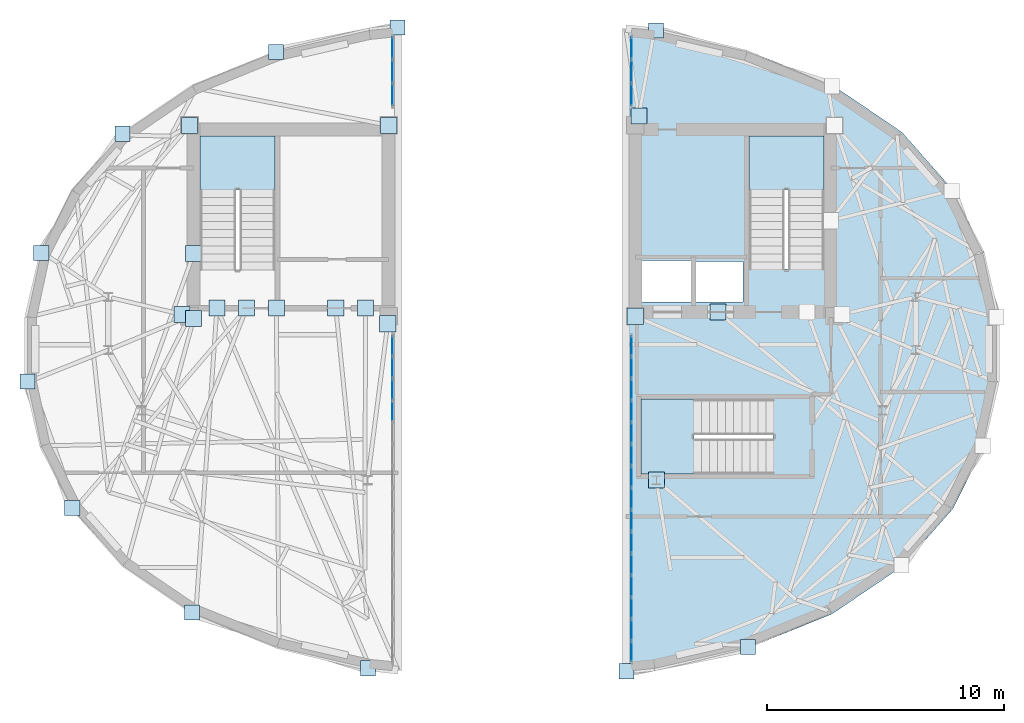
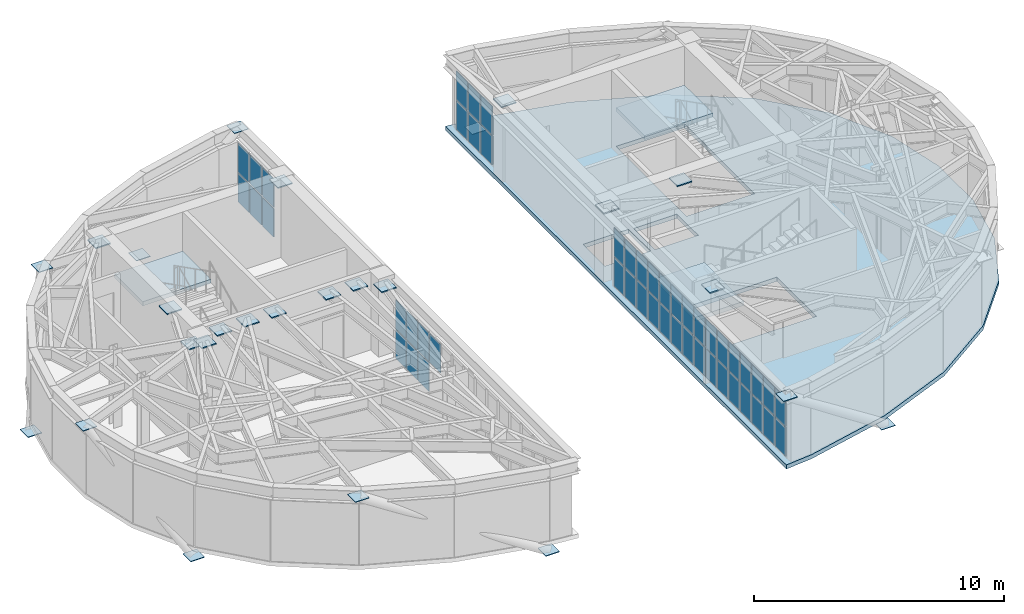
# One storey, part 8 of 13: 75 plates, 4 slabs, 7 elements without a shape of their own.
"""IFC4 building model written with IfcOpenShell, lengths in metres."""

from ifc_helpers import new_model, si_unit, direction, frame, origin, origin_2d, place, context, subcontext, project, spatial, polyline, rectangle, outline, extrude, material, layer, layer_set, type_object, element, aggregate, save


model = new_model("IFC4")

# Units and contexts
model_context = context("Model", 3, precision=1e-05, world=origin(), true_north=direction((0.0, 1.0)))
body_context = subcontext(model_context, "Body", "Model", "MODEL_VIEW")
ifc_project = project(units=[si_unit("LENGTHUNIT", "METRE"), si_unit("AREAUNIT", "SQUARE_METRE"), si_unit("VOLUMEUNIT", "CUBIC_METRE"), si_unit("PLANEANGLEUNIT", "RADIAN"), si_unit("MASSUNIT", "GRAM", prefix="KILO")], contexts=[model_context])

# Site, building, storey
site_placement = place(None, origin())
site = spatial("IfcSite", under=ifc_project, at=site_placement, CompositionType="ELEMENT")
building_placement = place(site_placement, origin())
building = spatial("IfcBuilding", under=site, at=building_placement, Name="Keldmark Tower", CompositionType="ELEMENT")
storey_placement = place(building_placement, frame((0.0, 0.0, 276.800048828125)))
storey = spatial("IfcBuildingStorey", under=building, at=storey_placement, Name="L78", CompositionType="ELEMENT", Elevation=276.800048828125)

# Plates
ifc_material_1 = material(Name="Steel ASTM A572 Grade 50", Category="steel")
ifc_layer_1 = layer(ifc_material_1, 0.06005859375)
ifc_layer_set_1 = layer_set([ifc_layer_1], Name="Steel ASTM A572 Grade 50")
plate_type_1 = type_object("IfcPlateType", Name="Belt Truss Kink Node Assembly KN01 60 mm", PredefinedType="USERDEFINED", material=ifc_layer_set_1)
for number, where, z_axis, x_axis, name in (
    (1, (-13.91162109375, 1.473388671875, 3.30810546875), (0.0, 0.0, 1.0), (1.0, 0.0, 0.0), "L78 Core Wall Cast-In Embed Plate 2218"),
    (2, (-5.24072265625, 1.08251953125, 3.30810546875), (0.0, 0.0, 1.0), (1.0, 0.0, 0.0), "L78 Core Wall Cast-In Embed Plate 2219"),
    (3, (5.199951171875, 1.39990234375, 3.30810546875), (0.0, 0.0, 1.0), (1.0, 0.0, 0.0), "L78 Core Wall Cast-In Embed Plate 2220"),
    (4, (8.685791015625, 1.574951171875, 3.30810546875), (0.0, 0.0, 1.0), (1.0, 0.0, 0.0), "L78 Core Wall Cast-In Embed Plate 2222"),
    (5, (6.089599609375, -5.512939453125, 3.30810546875), (0.0, 0.0, 1.0), (1.0, 0.0, 0.0), "L78 Core Wall Cast-In Embed Plate 2225"),
    (6, (5.35009765625, 9.85009765625, 3.30810546875), (0.0, 0.0, 1.0), (1.0, 0.0, 0.0), "L78 Core Wall Cast-In Embed Plate 2226"),
    (7, (-11.19287109375, 1.739990234375, 3.30810546875), (0.0, 0.0, 1.0), (1.0, 0.0, 0.0), "L78 Core Wall Cast-In Embed Plate 2227"),
    (8, (-13.425048828125, 4.050048828125, 3.30810546875), (0.0, 0.0, 1.0), (1.0, 0.0, 0.0), "L78 Core Wall Cast-In Embed Plate 2228"),
    (9, (-6.1787109375, 1.739990234375, 3.30810546875), (0.0, 0.0, 1.0), (1.0, 0.0, 0.0), "L78 Core Wall Cast-In Embed Plate 2229"),
    (10, (-7.43212890625, 1.739990234375, 3.30810546875), (0.0, 0.0, 1.0), (1.0, 0.0, 0.0), "L78 Core Wall Cast-In Embed Plate 2230"),
    (11, (-12.4462890625, 1.739990234375, 3.30810546875), (0.0, 0.0, 1.0), (1.0, 0.0, 0.0), "L78 Core Wall Cast-In Embed Plate 2231"),
    (12, (-9.939208984375, 1.739990234375, 3.30810546875), (0.0, 0.0, 1.0), (1.0, 0.0, 0.0), "L78 Core Wall Cast-In Embed Plate 2232"),
    (13, (-13.425048828125, 1.300048828125, 3.30810546875), (0.0, 0.0, 1.0), (1.0, 0.0, 0.0), "L78 Core Wall Cast-In Embed Plate 2233"),
    (14, (-13.60009765625, 9.449951171875, 3.30810546875), (0.0, 0.0, 1.0), (1.0, 0.0, 0.0), "L78 Core Wall Cast-In Embed Plate 2234"),
    (15, (-5.199951171875, 9.449951171875, 3.30810546875), (0.0, 0.0, 1.0), (1.0, 0.0, 0.0), "L78 Core Wall Cast-In Embed Plate 2235"),
):
    element("IfcPlate", number, at=place(storey_placement, frame(where, z_axis=z_axis, x_axis=x_axis)), inside=storey, type_object=plate_type_1, Name=name, ObjectType="CAP PLATE", PredefinedType="USERDEFINED", context=body_context, shape_type="SweptSolid", body=[
        extrude(rectangle(XDim=0.679931640625, YDim=0.679931640625, at=origin_2d()), origin(), (0.0, 0.0, 1.0), 0.054931640625),
    ])
ifc_material_2 = material(Name="Steel ASTM A572 Grade 50", Category="steel")
ifc_layer_2 = layer(ifc_material_2, 0.030029296875)
ifc_layer_set_2 = layer_set([ifc_layer_2], Name="Steel ASTM A572 Grade 50")
plate_type_2 = type_object("IfcPlateType", Name="Crown Frame End Cap Plate CP01 30 mm", PredefinedType="SHEET", material=ifc_layer_set_2)
for number, where, z_axis, x_axis, name in (
    (16, (6.067138671875, 13.448974609375, -0.46484375), (0.0, 0.0, 1.0), (1.0, 0.0, 0.0), "L78 Crown Frame Node Cap E00-0"),
    (17, (9.948486328125, -12.546142578125, -0.46484375), (0.0, 0.0, 1.0), (1.0, 0.0, 0.0), "L78 Crown Frame Node Cap E12-0"),
    (18, (4.832763671875, -13.573486328125, 3.3349609375), (0.0, 0.0, 1.0), (1.0, 0.0, 0.0), "L78 Crown Frame Node Cap E12-1"),
    (19, (-6.067138671875, -13.448974609375, -0.46484375), (0.0, 0.0, 1.0), (1.0, 0.0, 0.0), "L78 Crown Frame Node Cap W00-0"),
    (20, (-13.5, -11.097900390625, 3.3349609375), (0.0, 0.0, 1.0), (1.0, 0.0, 0.0), "L78 Crown Frame Node Cap W00-1"),
    (21, (-18.544921875, -6.688232421875, -0.46484375), (0.0, 0.0, 1.0), (1.0, 0.0, 0.0), "L78 Crown Frame Node Cap W04-0"),
    (22, (-20.43017578125, -1.35693359375, 3.3349609375), (0.0, 0.0, 1.0), (1.0, 0.0, 0.0), "L78 Crown Frame Node Cap W04-1"),
    (23, (-19.853271484375, 4.0625, -0.46484375), (0.0, 0.0, 1.0), (1.0, 0.0, 0.0), "L78 Crown Frame Node Cap W08-0"),
    (24, (-16.431396484375, 9.099365234375, 3.3349609375), (0.0, 0.0, 1.0), (1.0, 0.0, 0.0), "L78 Crown Frame Node Cap W08-1"),
    (25, (-9.948486328125, 12.546142578125, -0.46484375), (0.0, 0.0, 1.0), (1.0, 0.0, 0.0), "L78 Crown Frame Node Cap W12-0"),
    (26, (-4.832763671875, 13.573486328125, 3.3349609375), (0.0, 0.0, 1.0), (1.0, 0.0, 0.0), "L78 Crown Frame Node Cap W12-1"),
):
    element("IfcPlate", number, at=place(storey_placement, frame(where, z_axis=z_axis, x_axis=x_axis)), inside=storey, type_object=plate_type_2, Name=name, PredefinedType="SHEET", context=body_context, shape_type="SweptSolid", body=[
        extrude(rectangle(XDim=0.639892578125, YDim=0.639892578125, at=origin_2d()), origin(), (0.0, 0.0, 1.0), 0.030029296875),
    ])

# Slab
ifc_material_3 = material(Name="Concrete C35/45", Category="concrete")
ifc_layer_3 = layer(ifc_material_3, 0.199951171875)
ifc_layer_set_3 = layer_set([ifc_layer_3], Name="Concrete C35/45")
slab_type_1 = type_object("IfcSlabType", Name="Low-Rise Office Composite Slab 200 mm", PredefinedType="FLOOR", material=ifc_layer_set_3)
slab_1_placement = place(storey_placement, frame((0.0, 0.0, -0.199951171875)))
element("IfcSlab", 27, at=slab_1_placement, inside=storey, type_object=slab_type_1, Name="L78 East Crown Plant Floor Slab", PredefinedType="FLOOR", context=body_context, shape_type="SweptSolid", body=[
    extrude(outline(polyline([(6.03759765625, 13.501220703125), (9.931396484375, 12.603759765625), (13.498779296875, 11.15771484375), (16.448486328125, 9.156982421875), (18.580078125, 6.73681640625), (19.9033203125, 4.095703125), (20.489013671875, 1.368896484375), (20.489013671875, -1.368896484375), (19.9033203125, -4.095703125), (18.580078125, -6.73681640625), (16.448486328125, -9.156982421875), (13.498779296875, -11.15771484375), (9.931396484375, -12.603759765625), (6.03759765625, -13.501220703125), (4.800048828125, -13.62353515625), (4.800048828125, 13.62353515625), (6.03759765625, 13.501220703125)]), holes=[polyline([(13.14990234375, 3.385009765625), (13.14990234375, 9.0), (10.0, 9.0), (10.0, 3.385009765625), (13.14990234375, 3.385009765625)]), polyline([(11.014892578125, -2.10009765625), (5.43994140625, -2.10009765625), (5.43994140625, -5.25), (11.014892578125, -5.25), (11.014892578125, -2.10009765625)]), polyline([(7.75, 2.0), (9.75, 2.0), (9.75, 3.699951171875), (7.75, 3.699951171875), (7.75, 2.0)]), polyline([(5.449951171875, 2.0), (7.550048828125, 2.0), (7.550048828125, 3.75), (5.449951171875, 3.75), (5.449951171875, 2.0)])]), origin(), (0.0, 0.0, 1.0), 0.199951171875),
])

# Stair, slab
ifc_material_4 = material(Name="Concrete C40/50", Category="concrete")
stair_type = type_object("IfcStairType", Name="Precast Concrete Core Exit Stair", PredefinedType="HALF_TURN_STAIR", material=ifc_material_4)
stair_1_placement = place(storey_placement, origin())
stair_1 = element("IfcStair", 28, at=stair_1_placement, inside=storey, type_object=stair_type, Name="L78 Exit Stair ST1", PredefinedType="HALF_TURN_STAIR")
ifc_material_5 = material(Name="Concrete C40/50", Category="concrete")
ifc_layer_4 = layer(ifc_material_5, 0.199951171875)
ifc_layer_set_4 = layer_set([ifc_layer_4], Name="Concrete C40/50")
slab_type_2 = type_object("IfcSlabType", Name="Reinforced Concrete Stair Landing 200 mm", PredefinedType="LANDING", material=ifc_layer_set_4)
slab_2_placement = place(storey_placement, frame((0.0, 0.0, 1.699951171875)))
slab_2 = element("IfcSlab", 29, at=slab_2_placement, type_object=slab_type_2, Name="ST1 landing 1", PredefinedType="LANDING", context=body_context, shape_type="SweptSolid", body=[
    extrude(outline(polyline([(-10.0, 6.72998046875), (-10.0, 9.0), (-13.14990234375, 9.0), (-13.14990234375, 6.72998046875), (-10.0, 6.72998046875)])), origin(), (0.0, 0.0, 1.0), 0.199951171875),
])
aggregate(stair_1, [slab_2])

stair_2_placement = place(storey_placement, origin())
stair_2 = element("IfcStair", 30, at=stair_2_placement, inside=storey, type_object=stair_type, Name="L78 Exit Stair ST2", PredefinedType="HALF_TURN_STAIR")
slab_3_placement = place(storey_placement, frame((0.0, 0.0, 1.699951171875)))
slab_3 = element("IfcSlab", 31, at=slab_3_placement, type_object=slab_type_2, Name="ST2 landing 1", PredefinedType="LANDING", context=body_context, shape_type="SweptSolid", body=[
    extrude(outline(polyline([(13.14990234375, 6.72998046875), (13.14990234375, 9.0), (10.0, 9.0), (10.0, 6.72998046875), (13.14990234375, 6.72998046875)])), origin(), (0.0, 0.0, 1.0), 0.199951171875),
])
aggregate(stair_2, [slab_3])

stair_3_placement = place(storey_placement, origin())
stair_3 = element("IfcStair", 32, at=stair_3_placement, inside=storey, type_object=stair_type, Name="L78 East Crown Exit Stair ST4", PredefinedType="HALF_TURN_STAIR")
slab_4_placement = place(storey_placement, frame((0.0, 0.0, 1.699951171875)))
slab_4 = element("IfcSlab", 33, at=slab_4_placement, type_object=slab_type_2, Name="ST4 landing 1", PredefinedType="LANDING", context=body_context, shape_type="SweptSolid", body=[
    extrude(outline(polyline([(7.669921875, -2.10009765625), (5.43994140625, -2.10009765625), (5.43994140625, -5.25), (7.669921875, -5.25), (7.669921875, -2.10009765625)])), origin(), (0.0, 0.0, 1.0), 0.199951171875),
])
aggregate(stair_3, [slab_4])

# Curtain wall, plates
ifc_material_6 = material(Name="Unitized Thermally Broken Aluminum and Triple Low-E Glazing", Category="aluminium")
ifc_layer_5 = layer(ifc_material_6, 0.219970703125)
ifc_layer_set_5 = layer_set([ifc_layer_5], Name="Unitized Thermally Broken Aluminum and Triple Low-E Glazing")
curtain_wall_type = type_object("IfcCurtainWallType", Name="Split-Top Crown Lantern Curtain Wall System", PredefinedType="NOTDEFINED", material=ifc_layer_set_5)
curtain_wall_1_placement = place(storey_placement, origin())
curtain_wall_1 = element("IfcCurtainWall", 34, at=curtain_wall_1_placement, inside=storey, type_object=curtain_wall_type, Name="L78 Split-Top Crown Lantern Curtain Wall System CW-L78-ES14-0", PredefinedType="NOTDEFINED")
ifc_material_7 = material(Name="Triple Silver Low-E Insulated Glass Unit", Category="glass")
ifc_layer_6 = layer(ifc_material_7, 0.035888671875)
ifc_layer_set_6 = layer_set([ifc_layer_6], Name="Triple Silver Low-E Insulated Glass Unit")
plate_type_3 = type_object("IfcPlateType", Name="Triple Low-E Vision Glazing Panel 36 mm", PredefinedType="CURTAIN_PANEL", material=ifc_layer_set_6)
plate_1_placement = place(storey_placement, frame((5.0400390625, 12.705322265625, 0.059814453125), z_axis=(0.0, 0.0, 1.0), x_axis=(0.0, -1.0, 0.0)))
plate_1 = element("IfcPlate", 35, at=plate_1_placement, type_object=plate_type_3, Name="CW panel 1.1", PredefinedType="CURTAIN_PANEL", context=body_context, shape_type="SweptSolid", body=[
    extrude(rectangle(XDim=0.90673828125, YDim=0.035888671875, at=origin_2d()), origin(), (0.0, 0.0, 1.0), 1.39306640625),
])
plate_2_placement = place(storey_placement, frame((5.0400390625, 12.705322265625, 1.512939453125), z_axis=(0.0, 0.0, 1.0), x_axis=(0.0, -1.0, 0.0)))
plate_2 = element("IfcPlate", 36, at=plate_2_placement, type_object=plate_type_3, Name="CW panel 1.2", PredefinedType="CURTAIN_PANEL", context=body_context, shape_type="SweptSolid", body=[
    extrude(rectangle(XDim=0.90673828125, YDim=0.035888671875, at=origin_2d()), origin(), (0.0, 0.0, 1.0), 1.39306640625),
])
plate_3_placement = place(storey_placement, frame((5.0400390625, 11.7236328125, 0.059814453125), z_axis=(0.0, 0.0, 1.0), x_axis=(0.0, -1.0, 0.0)))
plate_3 = element("IfcPlate", 37, at=plate_3_placement, type_object=plate_type_3, Name="CW panel 2.1", PredefinedType="CURTAIN_PANEL", context=body_context, shape_type="SweptSolid", body=[
    extrude(rectangle(XDim=0.936767578125, YDim=0.035888671875, at=origin_2d()), origin(), (0.0, 0.0, 1.0), 1.39306640625),
])
plate_4_placement = place(storey_placement, frame((5.0400390625, 11.7236328125, 1.512939453125), z_axis=(0.0, 0.0, 1.0), x_axis=(0.0, -1.0, 0.0)))
plate_4 = element("IfcPlate", 38, at=plate_4_placement, type_object=plate_type_3, Name="CW panel 2.2", PredefinedType="CURTAIN_PANEL", context=body_context, shape_type="SweptSolid", body=[
    extrude(rectangle(XDim=0.936767578125, YDim=0.035888671875, at=origin_2d()), origin(), (0.0, 0.0, 1.0), 1.39306640625),
])
plate_5_placement = place(storey_placement, frame((5.0400390625, 10.741943359375, 0.059814453125), z_axis=(0.0, 0.0, 1.0), x_axis=(0.0, -1.0, 0.0)))
plate_5 = element("IfcPlate", 39, at=plate_5_placement, type_object=plate_type_3, Name="CW panel 3.1", PredefinedType="CURTAIN_PANEL", context=body_context, shape_type="SweptSolid", body=[
    extrude(rectangle(XDim=0.90673828125, YDim=0.035888671875, at=origin_2d()), origin(), (0.0, 0.0, 1.0), 1.39306640625),
])
plate_6_placement = place(storey_placement, frame((5.0400390625, 10.741943359375, 1.512939453125), z_axis=(0.0, 0.0, 1.0), x_axis=(0.0, -1.0, 0.0)))
plate_6 = element("IfcPlate", 40, at=plate_6_placement, type_object=plate_type_3, Name="CW panel 3.2", PredefinedType="CURTAIN_PANEL", context=body_context, shape_type="SweptSolid", body=[
    extrude(rectangle(XDim=0.90673828125, YDim=0.035888671875, at=origin_2d()), origin(), (0.0, 0.0, 1.0), 1.39306640625),
])
aggregate(curtain_wall_1, [plate_1, plate_2, plate_3, plate_4, plate_5, plate_6])

curtain_wall_2_placement = place(storey_placement, origin())
curtain_wall_2 = element("IfcCurtainWall", 41, at=curtain_wall_2_placement, inside=storey, type_object=curtain_wall_type, Name="L78 Split-Top Crown Lantern Curtain Wall System CW-L78-ES14-1", PredefinedType="NOTDEFINED")
plate_7_placement = place(storey_placement, frame((5.0400390625, 0.145263671875, 0.059814453125), z_axis=(0.0, 0.0, 1.0), x_axis=(0.0, -1.0, 0.0)))
plate_7 = element("IfcPlate", 42, at=plate_7_placement, type_object=plate_type_3, Name="CW panel 1.1", PredefinedType="CURTAIN_PANEL", context=body_context, shape_type="SweptSolid", body=[
    extrude(rectangle(XDim=0.832763671875, YDim=0.035888671875, at=origin_2d()), origin(), (0.0, 0.0, 1.0), 1.39306640625),
])
plate_8_placement = place(storey_placement, frame((5.0400390625, 0.145263671875, 1.512939453125), z_axis=(0.0, 0.0, 1.0), x_axis=(0.0, -1.0, 0.0)))
plate_8 = element("IfcPlate", 43, at=plate_8_placement, type_object=plate_type_3, Name="CW panel 1.2", PredefinedType="CURTAIN_PANEL", context=body_context, shape_type="SweptSolid", body=[
    extrude(rectangle(XDim=0.832763671875, YDim=0.035888671875, at=origin_2d()), origin(), (0.0, 0.0, 1.0), 1.39306640625),
])
plate_9_placement = place(storey_placement, frame((5.0400390625, -0.762451171875, 0.059814453125), z_axis=(0.0, 0.0, 1.0), x_axis=(0.0, -1.0, 0.0)))
plate_9 = element("IfcPlate", 44, at=plate_9_placement, type_object=plate_type_3, Name="CW panel 2.1", PredefinedType="CURTAIN_PANEL", context=body_context, shape_type="SweptSolid", body=[
    extrude(rectangle(XDim=0.86279296875, YDim=0.035888671875, at=origin_2d()), origin(), (0.0, 0.0, 1.0), 1.39306640625),
])
plate_10_placement = place(storey_placement, frame((5.0400390625, -0.762451171875, 1.512939453125), z_axis=(0.0, 0.0, 1.0), x_axis=(0.0, -1.0, 0.0)))
plate_10 = element("IfcPlate", 45, at=plate_10_placement, type_object=plate_type_3, Name="CW panel 2.2", PredefinedType="CURTAIN_PANEL", context=body_context, shape_type="SweptSolid", body=[
    extrude(rectangle(XDim=0.86279296875, YDim=0.035888671875, at=origin_2d()), origin(), (0.0, 0.0, 1.0), 1.39306640625),
])
plate_11_placement = place(storey_placement, frame((5.0400390625, -1.685302734375, 0.059814453125), z_axis=(0.0, 0.0, 1.0), x_axis=(0.0, -1.0, 0.0)))
plate_11 = element("IfcPlate", 46, at=plate_11_placement, type_object=plate_type_3, Name="CW panel 3.1", PredefinedType="CURTAIN_PANEL", context=body_context, shape_type="SweptSolid", body=[
    extrude(rectangle(XDim=0.86279296875, YDim=0.035888671875, at=origin_2d()), origin(), (0.0, 0.0, 1.0), 1.39306640625),
])
plate_12_placement = place(storey_placement, frame((5.0400390625, -1.685302734375, 1.512939453125), z_axis=(0.0, 0.0, 1.0), x_axis=(0.0, -1.0, 0.0)))
plate_12 = element("IfcPlate", 47, at=plate_12_placement, type_object=plate_type_3, Name="CW panel 3.2", PredefinedType="CURTAIN_PANEL", context=body_context, shape_type="SweptSolid", body=[
    extrude(rectangle(XDim=0.86279296875, YDim=0.035888671875, at=origin_2d()), origin(), (0.0, 0.0, 1.0), 1.39306640625),
])
plate_13_placement = place(storey_placement, frame((5.0400390625, -2.60791015625, 0.059814453125), z_axis=(0.0, 0.0, 1.0), x_axis=(0.0, -1.0, 0.0)))
plate_13 = element("IfcPlate", 48, at=plate_13_placement, type_object=plate_type_3, Name="CW panel 4.1", PredefinedType="CURTAIN_PANEL", context=body_context, shape_type="SweptSolid", body=[
    extrude(rectangle(XDim=0.86279296875, YDim=0.035888671875, at=origin_2d()), origin(), (0.0, 0.0, 1.0), 1.39306640625),
])
plate_14_placement = place(storey_placement, frame((5.0400390625, -2.60791015625, 1.512939453125), z_axis=(0.0, 0.0, 1.0), x_axis=(0.0, -1.0, 0.0)))
plate_14 = element("IfcPlate", 49, at=plate_14_placement, type_object=plate_type_3, Name="CW panel 4.2", PredefinedType="CURTAIN_PANEL", context=body_context, shape_type="SweptSolid", body=[
    extrude(rectangle(XDim=0.86279296875, YDim=0.035888671875, at=origin_2d()), origin(), (0.0, 0.0, 1.0), 1.39306640625),
])
plate_15_placement = place(storey_placement, frame((5.0400390625, -3.530517578125, 0.059814453125), z_axis=(0.0, 0.0, 1.0), x_axis=(0.0, -1.0, 0.0)))
plate_15 = element("IfcPlate", 50, at=plate_15_placement, type_object=plate_type_3, Name="CW panel 5.1", PredefinedType="CURTAIN_PANEL", context=body_context, shape_type="SweptSolid", body=[
    extrude(rectangle(XDim=0.86279296875, YDim=0.035888671875, at=origin_2d()), origin(), (0.0, 0.0, 1.0), 1.39306640625),
])
plate_16_placement = place(storey_placement, frame((5.0400390625, -3.530517578125, 1.512939453125), z_axis=(0.0, 0.0, 1.0), x_axis=(0.0, -1.0, 0.0)))
plate_16 = element("IfcPlate", 51, at=plate_16_placement, type_object=plate_type_3, Name="CW panel 5.2", PredefinedType="CURTAIN_PANEL", context=body_context, shape_type="SweptSolid", body=[
    extrude(rectangle(XDim=0.86279296875, YDim=0.035888671875, at=origin_2d()), origin(), (0.0, 0.0, 1.0), 1.39306640625),
])
plate_17_placement = place(storey_placement, frame((5.0400390625, -4.453125, 0.059814453125), z_axis=(0.0, 0.0, 1.0), x_axis=(0.0, -1.0, 0.0)))
plate_17 = element("IfcPlate", 52, at=plate_17_placement, type_object=plate_type_3, Name="CW panel 6.1", PredefinedType="CURTAIN_PANEL", context=body_context, shape_type="SweptSolid", body=[
    extrude(rectangle(XDim=0.86279296875, YDim=0.035888671875, at=origin_2d()), origin(), (0.0, 0.0, 1.0), 1.39306640625),
])
plate_18_placement = place(storey_placement, frame((5.0400390625, -4.453125, 1.512939453125), z_axis=(0.0, 0.0, 1.0), x_axis=(0.0, -1.0, 0.0)))
plate_18 = element("IfcPlate", 53, at=plate_18_placement, type_object=plate_type_3, Name="CW panel 6.2", PredefinedType="CURTAIN_PANEL", context=body_context, shape_type="SweptSolid", body=[
    extrude(rectangle(XDim=0.86279296875, YDim=0.035888671875, at=origin_2d()), origin(), (0.0, 0.0, 1.0), 1.39306640625),
])
plate_19_placement = place(storey_placement, frame((5.0400390625, -5.3759765625, 0.059814453125), z_axis=(0.0, 0.0, 1.0), x_axis=(0.0, -1.0, 0.0)))
plate_19 = element("IfcPlate", 54, at=plate_19_placement, type_object=plate_type_3, Name="CW panel 7.1", PredefinedType="CURTAIN_PANEL", context=body_context, shape_type="SweptSolid", body=[
    extrude(rectangle(XDim=0.86279296875, YDim=0.035888671875, at=origin_2d()), origin(), (0.0, 0.0, 1.0), 1.39306640625),
])
plate_20_placement = place(storey_placement, frame((5.0400390625, -5.3759765625, 1.512939453125), z_axis=(0.0, 0.0, 1.0), x_axis=(0.0, -1.0, 0.0)))
plate_20 = element("IfcPlate", 55, at=plate_20_placement, type_object=plate_type_3, Name="CW panel 7.2", PredefinedType="CURTAIN_PANEL", context=body_context, shape_type="SweptSolid", body=[
    extrude(rectangle(XDim=0.86279296875, YDim=0.035888671875, at=origin_2d()), origin(), (0.0, 0.0, 1.0), 1.39306640625),
])
plate_21_placement = place(storey_placement, frame((5.0400390625, -6.298583984375, 0.059814453125), z_axis=(0.0, 0.0, 1.0), x_axis=(0.0, -1.0, 0.0)))
plate_21 = element("IfcPlate", 56, at=plate_21_placement, type_object=plate_type_3, Name="CW panel 8.1", PredefinedType="CURTAIN_PANEL", context=body_context, shape_type="SweptSolid", body=[
    extrude(rectangle(XDim=0.86279296875, YDim=0.035888671875, at=origin_2d()), origin(), (0.0, 0.0, 1.0), 1.39306640625),
])
plate_22_placement = place(storey_placement, frame((5.0400390625, -6.298583984375, 1.512939453125), z_axis=(0.0, 0.0, 1.0), x_axis=(0.0, -1.0, 0.0)))
plate_22 = element("IfcPlate", 57, at=plate_22_placement, type_object=plate_type_3, Name="CW panel 8.2", PredefinedType="CURTAIN_PANEL", context=body_context, shape_type="SweptSolid", body=[
    extrude(rectangle(XDim=0.86279296875, YDim=0.035888671875, at=origin_2d()), origin(), (0.0, 0.0, 1.0), 1.39306640625),
])
plate_23_placement = place(storey_placement, frame((5.0400390625, -7.22119140625, 0.059814453125), z_axis=(0.0, 0.0, 1.0), x_axis=(0.0, -1.0, 0.0)))
plate_23 = element("IfcPlate", 58, at=plate_23_placement, type_object=plate_type_3, Name="CW panel 9.1", PredefinedType="CURTAIN_PANEL", context=body_context, shape_type="SweptSolid", body=[
    extrude(rectangle(XDim=0.86279296875, YDim=0.035888671875, at=origin_2d()), origin(), (0.0, 0.0, 1.0), 1.39306640625),
])
plate_24_placement = place(storey_placement, frame((5.0400390625, -7.22119140625, 1.512939453125), z_axis=(0.0, 0.0, 1.0), x_axis=(0.0, -1.0, 0.0)))
plate_24 = element("IfcPlate", 59, at=plate_24_placement, type_object=plate_type_3, Name="CW panel 9.2", PredefinedType="CURTAIN_PANEL", context=body_context, shape_type="SweptSolid", body=[
    extrude(rectangle(XDim=0.86279296875, YDim=0.035888671875, at=origin_2d()), origin(), (0.0, 0.0, 1.0), 1.39306640625),
])
plate_25_placement = place(storey_placement, frame((5.0400390625, -8.14404296875, 0.059814453125), z_axis=(0.0, 0.0, 1.0), x_axis=(0.0, -1.0, 0.0)))
plate_25 = element("IfcPlate", 60, at=plate_25_placement, type_object=plate_type_3, Name="CW panel 10.1", PredefinedType="CURTAIN_PANEL", context=body_context, shape_type="SweptSolid", body=[
    extrude(rectangle(XDim=0.86279296875, YDim=0.035888671875, at=origin_2d()), origin(), (0.0, 0.0, 1.0), 1.39306640625),
])
plate_26_placement = place(storey_placement, frame((5.0400390625, -8.14404296875, 1.512939453125), z_axis=(0.0, 0.0, 1.0), x_axis=(0.0, -1.0, 0.0)))
plate_26 = element("IfcPlate", 61, at=plate_26_placement, type_object=plate_type_3, Name="CW panel 10.2", PredefinedType="CURTAIN_PANEL", context=body_context, shape_type="SweptSolid", body=[
    extrude(rectangle(XDim=0.86279296875, YDim=0.035888671875, at=origin_2d()), origin(), (0.0, 0.0, 1.0), 1.39306640625),
])
plate_27_placement = place(storey_placement, frame((5.0400390625, -9.066650390625, 0.059814453125), z_axis=(0.0, 0.0, 1.0), x_axis=(0.0, -1.0, 0.0)))
plate_27 = element("IfcPlate", 62, at=plate_27_placement, type_object=plate_type_3, Name="CW panel 11.1", PredefinedType="CURTAIN_PANEL", context=body_context, shape_type="SweptSolid", body=[
    extrude(rectangle(XDim=0.86279296875, YDim=0.035888671875, at=origin_2d()), origin(), (0.0, 0.0, 1.0), 1.39306640625),
])
plate_28_placement = place(storey_placement, frame((5.0400390625, -9.066650390625, 1.512939453125), z_axis=(0.0, 0.0, 1.0), x_axis=(0.0, -1.0, 0.0)))
plate_28 = element("IfcPlate", 63, at=plate_28_placement, type_object=plate_type_3, Name="CW panel 11.2", PredefinedType="CURTAIN_PANEL", context=body_context, shape_type="SweptSolid", body=[
    extrude(rectangle(XDim=0.86279296875, YDim=0.035888671875, at=origin_2d()), origin(), (0.0, 0.0, 1.0), 1.39306640625),
])
plate_29_placement = place(storey_placement, frame((5.0400390625, -9.9892578125, 0.059814453125), z_axis=(0.0, 0.0, 1.0), x_axis=(0.0, -1.0, 0.0)))
plate_29 = element("IfcPlate", 64, at=plate_29_placement, type_object=plate_type_3, Name="CW panel 12.1", PredefinedType="CURTAIN_PANEL", context=body_context, shape_type="SweptSolid", body=[
    extrude(rectangle(XDim=0.86279296875, YDim=0.035888671875, at=origin_2d()), origin(), (0.0, 0.0, 1.0), 1.39306640625),
])
plate_30_placement = place(storey_placement, frame((5.0400390625, -9.9892578125, 1.512939453125), z_axis=(0.0, 0.0, 1.0), x_axis=(0.0, -1.0, 0.0)))
plate_30 = element("IfcPlate", 65, at=plate_30_placement, type_object=plate_type_3, Name="CW panel 12.2", PredefinedType="CURTAIN_PANEL", context=body_context, shape_type="SweptSolid", body=[
    extrude(rectangle(XDim=0.86279296875, YDim=0.035888671875, at=origin_2d()), origin(), (0.0, 0.0, 1.0), 1.39306640625),
])
plate_31_placement = place(storey_placement, frame((5.0400390625, -10.912109375, 0.059814453125), z_axis=(0.0, 0.0, 1.0), x_axis=(0.0, -1.0, 0.0)))
plate_31 = element("IfcPlate", 66, at=plate_31_placement, type_object=plate_type_3, Name="CW panel 13.1", PredefinedType="CURTAIN_PANEL", context=body_context, shape_type="SweptSolid", body=[
    extrude(rectangle(XDim=0.86279296875, YDim=0.035888671875, at=origin_2d()), origin(), (0.0, 0.0, 1.0), 1.39306640625),
])
plate_32_placement = place(storey_placement, frame((5.0400390625, -10.912109375, 1.512939453125), z_axis=(0.0, 0.0, 1.0), x_axis=(0.0, -1.0, 0.0)))
plate_32 = element("IfcPlate", 67, at=plate_32_placement, type_object=plate_type_3, Name="CW panel 13.2", PredefinedType="CURTAIN_PANEL", context=body_context, shape_type="SweptSolid", body=[
    extrude(rectangle(XDim=0.86279296875, YDim=0.035888671875, at=origin_2d()), origin(), (0.0, 0.0, 1.0), 1.39306640625),
])
plate_33_placement = place(storey_placement, frame((5.0400390625, -11.834716796875, 0.059814453125), z_axis=(0.0, 0.0, 1.0), x_axis=(0.0, -1.0, 0.0)))
plate_33 = element("IfcPlate", 68, at=plate_33_placement, type_object=plate_type_3, Name="CW panel 14.1", PredefinedType="CURTAIN_PANEL", context=body_context, shape_type="SweptSolid", body=[
    extrude(rectangle(XDim=0.86279296875, YDim=0.035888671875, at=origin_2d()), origin(), (0.0, 0.0, 1.0), 1.39306640625),
])
plate_34_placement = place(storey_placement, frame((5.0400390625, -11.834716796875, 1.512939453125), z_axis=(0.0, 0.0, 1.0), x_axis=(0.0, -1.0, 0.0)))
plate_34 = element("IfcPlate", 69, at=plate_34_placement, type_object=plate_type_3, Name="CW panel 14.2", PredefinedType="CURTAIN_PANEL", context=body_context, shape_type="SweptSolid", body=[
    extrude(rectangle(XDim=0.86279296875, YDim=0.035888671875, at=origin_2d()), origin(), (0.0, 0.0, 1.0), 1.39306640625),
])
plate_35_placement = place(storey_placement, frame((5.0400390625, -12.742431640625, 0.059814453125), z_axis=(0.0, 0.0, 1.0), x_axis=(0.0, -1.0, 0.0)))
plate_35 = element("IfcPlate", 70, at=plate_35_placement, type_object=plate_type_3, Name="CW panel 15.1", PredefinedType="CURTAIN_PANEL", context=body_context, shape_type="SweptSolid", body=[
    extrude(rectangle(XDim=0.832763671875, YDim=0.035888671875, at=origin_2d()), origin(), (0.0, 0.0, 1.0), 1.39306640625),
])
plate_36_placement = place(storey_placement, frame((5.0400390625, -12.742431640625, 1.512939453125), z_axis=(0.0, 0.0, 1.0), x_axis=(0.0, -1.0, 0.0)))
plate_36 = element("IfcPlate", 71, at=plate_36_placement, type_object=plate_type_3, Name="CW panel 15.2", PredefinedType="CURTAIN_PANEL", context=body_context, shape_type="SweptSolid", body=[
    extrude(rectangle(XDim=0.832763671875, YDim=0.035888671875, at=origin_2d()), origin(), (0.0, 0.0, 1.0), 1.39306640625),
])
aggregate(curtain_wall_2, [plate_7, plate_8, plate_9, plate_10, plate_11, plate_12, plate_13, plate_14, plate_15, plate_16, plate_17, plate_18, plate_19, plate_20, plate_21, plate_22, plate_23, plate_24, plate_25, plate_26, plate_27, plate_28, plate_29, plate_30, plate_31, plate_32, plate_33, plate_34, plate_35, plate_36])

curtain_wall_3_placement = place(storey_placement, origin())
curtain_wall_3 = element("IfcCurtainWall", 72, at=curtain_wall_3_placement, inside=storey, type_object=curtain_wall_type, Name="L78 Split-Top Crown Lantern Curtain Wall System CW-L78-WS14-0", PredefinedType="NOTDEFINED")
plate_37_placement = place(storey_placement, frame((-5.0400390625, -2.60791015625, 1.512939453125), z_axis=(0.0, 0.0, 1.0), x_axis=(0.0, 1.0, 0.0)))
plate_37 = element("IfcPlate", 73, at=plate_37_placement, type_object=plate_type_3, Name="CW panel 12.2", PredefinedType="CURTAIN_PANEL", context=body_context, shape_type="SweptSolid", body=[
    extrude(rectangle(XDim=0.86279296875, YDim=0.035888671875, at=origin_2d()), origin(), (0.0, 0.0, 1.0), 1.39306640625),
])
plate_38_placement = place(storey_placement, frame((-5.0400390625, -1.685302734375, 0.059814453125), z_axis=(0.0, 0.0, 1.0), x_axis=(0.0, 1.0, 0.0)))
plate_38 = element("IfcPlate", 74, at=plate_38_placement, type_object=plate_type_3, Name="CW panel 13.1", PredefinedType="CURTAIN_PANEL", context=body_context, shape_type="SweptSolid", body=[
    extrude(rectangle(XDim=0.86279296875, YDim=0.035888671875, at=origin_2d()), origin(), (0.0, 0.0, 1.0), 1.39306640625),
])
plate_39_placement = place(storey_placement, frame((-5.0400390625, -1.685302734375, 1.512939453125), z_axis=(0.0, 0.0, 1.0), x_axis=(0.0, 1.0, 0.0)))
plate_39 = element("IfcPlate", 75, at=plate_39_placement, type_object=plate_type_3, Name="CW panel 13.2", PredefinedType="CURTAIN_PANEL", context=body_context, shape_type="SweptSolid", body=[
    extrude(rectangle(XDim=0.86279296875, YDim=0.035888671875, at=origin_2d()), origin(), (0.0, 0.0, 1.0), 1.39306640625),
])
plate_40_placement = place(storey_placement, frame((-5.0400390625, -0.762451171875, 0.059814453125), z_axis=(0.0, 0.0, 1.0), x_axis=(0.0, 1.0, 0.0)))
plate_40 = element("IfcPlate", 76, at=plate_40_placement, type_object=plate_type_3, Name="CW panel 14.1", PredefinedType="CURTAIN_PANEL", context=body_context, shape_type="SweptSolid", body=[
    extrude(rectangle(XDim=0.86279296875, YDim=0.035888671875, at=origin_2d()), origin(), (0.0, 0.0, 1.0), 1.39306640625),
])
plate_41_placement = place(storey_placement, frame((-5.0400390625, -0.762451171875, 1.512939453125), z_axis=(0.0, 0.0, 1.0), x_axis=(0.0, 1.0, 0.0)))
plate_41 = element("IfcPlate", 77, at=plate_41_placement, type_object=plate_type_3, Name="CW panel 14.2", PredefinedType="CURTAIN_PANEL", context=body_context, shape_type="SweptSolid", body=[
    extrude(rectangle(XDim=0.86279296875, YDim=0.035888671875, at=origin_2d()), origin(), (0.0, 0.0, 1.0), 1.39306640625),
])
plate_42_placement = place(storey_placement, frame((-5.0400390625, 0.145263671875, 0.059814453125), z_axis=(0.0, 0.0, 1.0), x_axis=(0.0, 1.0, 0.0)))
plate_42 = element("IfcPlate", 78, at=plate_42_placement, type_object=plate_type_3, Name="CW panel 15.1", PredefinedType="CURTAIN_PANEL", context=body_context, shape_type="SweptSolid", body=[
    extrude(rectangle(XDim=0.832763671875, YDim=0.035888671875, at=origin_2d()), origin(), (0.0, 0.0, 1.0), 1.39306640625),
])
plate_43_placement = place(storey_placement, frame((-5.0400390625, 0.145263671875, 1.512939453125), z_axis=(0.0, 0.0, 1.0), x_axis=(0.0, 1.0, 0.0)))
plate_43 = element("IfcPlate", 79, at=plate_43_placement, type_object=plate_type_3, Name="CW panel 15.2", PredefinedType="CURTAIN_PANEL", context=body_context, shape_type="SweptSolid", body=[
    extrude(rectangle(XDim=0.832763671875, YDim=0.035888671875, at=origin_2d()), origin(), (0.0, 0.0, 1.0), 1.39306640625),
])
aggregate(curtain_wall_3, [plate_37, plate_38, plate_39, plate_40, plate_41, plate_42, plate_43])

curtain_wall_4_placement = place(storey_placement, origin())
curtain_wall_4 = element("IfcCurtainWall", 80, at=curtain_wall_4_placement, inside=storey, type_object=curtain_wall_type, Name="L78 Split-Top Crown Lantern Curtain Wall System CW-L78-WS14-1", PredefinedType="NOTDEFINED")
plate_44_placement = place(storey_placement, frame((-5.0400390625, 10.741943359375, 0.059814453125), z_axis=(0.0, 0.0, 1.0), x_axis=(0.0, 1.0, 0.0)))
plate_44 = element("IfcPlate", 81, at=plate_44_placement, type_object=plate_type_3, Name="CW panel 1.1", PredefinedType="CURTAIN_PANEL", context=body_context, shape_type="SweptSolid", body=[
    extrude(rectangle(XDim=0.90673828125, YDim=0.035888671875, at=origin_2d()), origin(), (0.0, 0.0, 1.0), 1.39306640625),
])
plate_45_placement = place(storey_placement, frame((-5.0400390625, 10.741943359375, 1.512939453125), z_axis=(0.0, 0.0, 1.0), x_axis=(0.0, 1.0, 0.0)))
plate_45 = element("IfcPlate", 82, at=plate_45_placement, type_object=plate_type_3, Name="CW panel 1.2", PredefinedType="CURTAIN_PANEL", context=body_context, shape_type="SweptSolid", body=[
    extrude(rectangle(XDim=0.90673828125, YDim=0.035888671875, at=origin_2d()), origin(), (0.0, 0.0, 1.0), 1.39306640625),
])
plate_46_placement = place(storey_placement, frame((-5.0400390625, 11.7236328125, 0.059814453125), z_axis=(0.0, 0.0, 1.0), x_axis=(0.0, 1.0, 0.0)))
plate_46 = element("IfcPlate", 83, at=plate_46_placement, type_object=plate_type_3, Name="CW panel 2.1", PredefinedType="CURTAIN_PANEL", context=body_context, shape_type="SweptSolid", body=[
    extrude(rectangle(XDim=0.936767578125, YDim=0.035888671875, at=origin_2d()), origin(), (0.0, 0.0, 1.0), 1.39306640625),
])
plate_47_placement = place(storey_placement, frame((-5.0400390625, 11.7236328125, 1.512939453125), z_axis=(0.0, 0.0, 1.0), x_axis=(0.0, 1.0, 0.0)))
plate_47 = element("IfcPlate", 84, at=plate_47_placement, type_object=plate_type_3, Name="CW panel 2.2", PredefinedType="CURTAIN_PANEL", context=body_context, shape_type="SweptSolid", body=[
    extrude(rectangle(XDim=0.936767578125, YDim=0.035888671875, at=origin_2d()), origin(), (0.0, 0.0, 1.0), 1.39306640625),
])
plate_48_placement = place(storey_placement, frame((-5.0400390625, 12.705322265625, 0.059814453125), z_axis=(0.0, 0.0, 1.0), x_axis=(0.0, 1.0, 0.0)))
plate_48 = element("IfcPlate", 85, at=plate_48_placement, type_object=plate_type_3, Name="CW panel 3.1", PredefinedType="CURTAIN_PANEL", context=body_context, shape_type="SweptSolid", body=[
    extrude(rectangle(XDim=0.90673828125, YDim=0.035888671875, at=origin_2d()), origin(), (0.0, 0.0, 1.0), 1.39306640625),
])
plate_49_placement = place(storey_placement, frame((-5.0400390625, 12.705322265625, 1.512939453125), z_axis=(0.0, 0.0, 1.0), x_axis=(0.0, 1.0, 0.0)))
plate_49 = element("IfcPlate", 86, at=plate_49_placement, type_object=plate_type_3, Name="CW panel 3.2", PredefinedType="CURTAIN_PANEL", context=body_context, shape_type="SweptSolid", body=[
    extrude(rectangle(XDim=0.90673828125, YDim=0.035888671875, at=origin_2d()), origin(), (0.0, 0.0, 1.0), 1.39306640625),
])
aggregate(curtain_wall_4, [plate_44, plate_45, plate_46, plate_47, plate_48, plate_49])

save(model, "model.ifc")
